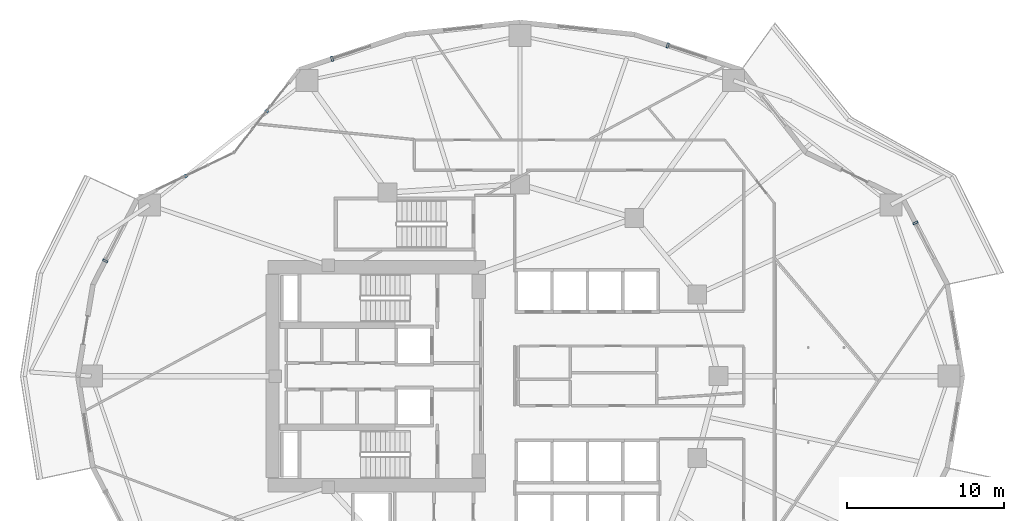
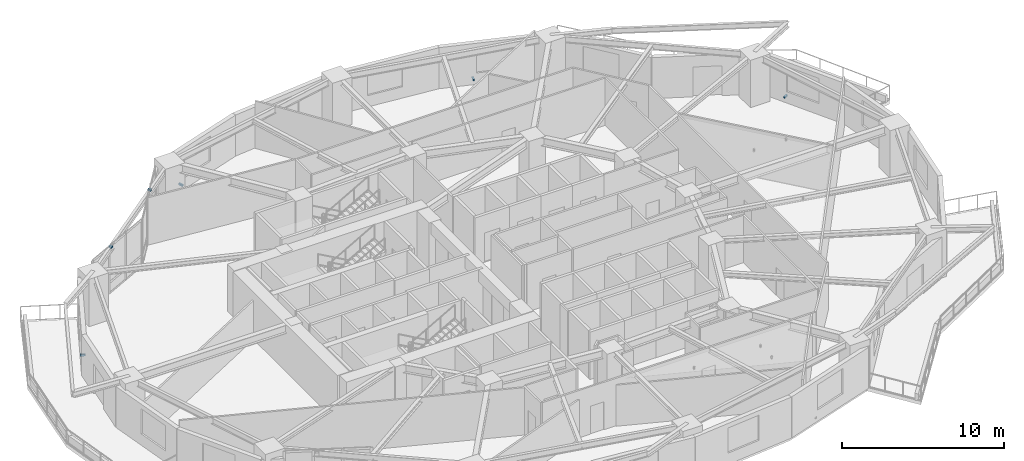
# One storey, part 14 of 19: 6 discrete accessories.
"""IFC4 building model written with IfcOpenShell, lengths in metres."""

from ifc_helpers import new_model, si_unit, direction, frame, origin, origin_2d, place, context, subcontext, project, spatial, rectangle, extrude, material, type_object, element, save


model = new_model("IFC4")

# Units and contexts
model_context = context("Model", 3, precision=1e-05, world=origin(), true_north=direction((0.0, 1.0)))
body_context = subcontext(model_context, "Body", "Model", "MODEL_VIEW")
ifc_project = project(units=[si_unit("LENGTHUNIT", "METRE"), si_unit("AREAUNIT", "SQUARE_METRE"), si_unit("VOLUMEUNIT", "CUBIC_METRE"), si_unit("PLANEANGLEUNIT", "RADIAN"), si_unit("MASSUNIT", "GRAM", prefix="KILO")], contexts=[model_context])

# Site, building, storey
site_placement = place(None, origin())
site = spatial("IfcSite", under=ifc_project, at=site_placement, CompositionType="ELEMENT")
building_placement = place(site_placement, origin())
building = spatial("IfcBuilding", under=site, at=building_placement, Name="Kolvaren Gate Tower and Convention Centre", CompositionType="ELEMENT")
storey_placement = place(building_placement, frame((0.0, 0.0, 38.050048828125)))
storey = spatial("IfcBuildingStorey", under=building, at=storey_placement, Name="L08", CompositionType="ELEMENT", Elevation=38.050048828125)

# Discrete accessories
ifc_material = material(Name="Anodized Architectural Aluminium Alloy 6063-T6", Category="aluminium")
discrete_accessory_type = type_object("IfcDiscreteAccessoryType", Name="ARCH-ACC-BRACKET-120", PredefinedType="BRACKET", material=ifc_material)
for number, where, z_axis, x_axis, name in (
    (1, (55.26123046875, 36.744873046875, 0.289794921875), (0.0, 0.0, 1.0), (0.459789110083, -0.888028138208, 0.0), "Ceramic Fin Wall Anchor Bracket FBK-L08-01"),
    (2, (39.5048828125, 48.037109375, 0.289794921875), (0.0, 0.0, 1.0), (0.949242826568, -0.314544203905, 0.0), "Ceramic Fin Wall Anchor Bracket FBK-L08-04"),
    (3, (18.1630859375, 47.181640625, 0.289794921875), (0.0, 0.0, 1.0), (0.949242826568, 0.314544203905, 0.0), "Ceramic Fin Wall Anchor Bracket FBK-L08-07"),
):
    element("IfcDiscreteAccessory", number, at=place(storey_placement, frame(where, z_axis=z_axis, x_axis=x_axis)), inside=storey, type_object=discrete_accessory_type, Name=name, PredefinedType="BRACKET", context=body_context, shape_type="SweptSolid", body=[
        extrude(rectangle(XDim=0.1201171875, YDim=0.320068359375, at=origin_2d()), origin(), (0.0, 0.0, 1.0), 0.1201171875),
    ])
for number, where, z_axis, x_axis, name in (
    (4, (13.99853515625, 43.84912109375, 3.389892578125), (0.0, 0.0, 1.0), (0.616424499081, 0.787414018756, 0.0), "Solar Screen Spandrel Anchor Bracket BK-L08-08"),
    (5, (8.851318359375, 39.7314453125, 3.389892578125), (0.0, 0.0, 1.0), (0.90136443672, 0.433061372343, 0.0), "Solar Screen Spandrel Anchor Bracket BK-L08-09"),
):
    element("IfcDiscreteAccessory", number, at=place(storey_placement, frame(where, z_axis=z_axis, x_axis=x_axis)), inside=storey, type_object=discrete_accessory_type, Name=name, PredefinedType="BRACKET", context=body_context, shape_type="SweptSolid", body=[
        extrude(rectangle(XDim=0.179931640625, YDim=0.219970703125, at=origin_2d()), origin(), (0.0, 0.0, 1.0), 0.1201171875),
    ])
discrete_accessory_placement = place(storey_placement, frame((3.737548828125, 34.32861328125, 0.289794921875), z_axis=(0.0, 0.0, 1.0), x_axis=(0.459789110083, 0.888028138208, 0.0)))
element("IfcDiscreteAccessory", 6, at=discrete_accessory_placement, inside=storey, type_object=discrete_accessory_type, Name="Ceramic Fin Wall Anchor Bracket FBK-L08-10", PredefinedType="BRACKET", context=body_context, shape_type="SweptSolid", body=[
    extrude(rectangle(XDim=0.1201171875, YDim=0.320068359375, at=origin_2d()), origin(), (0.0, 0.0, 1.0), 0.1201171875),
])

save(model, "model.ifc")
